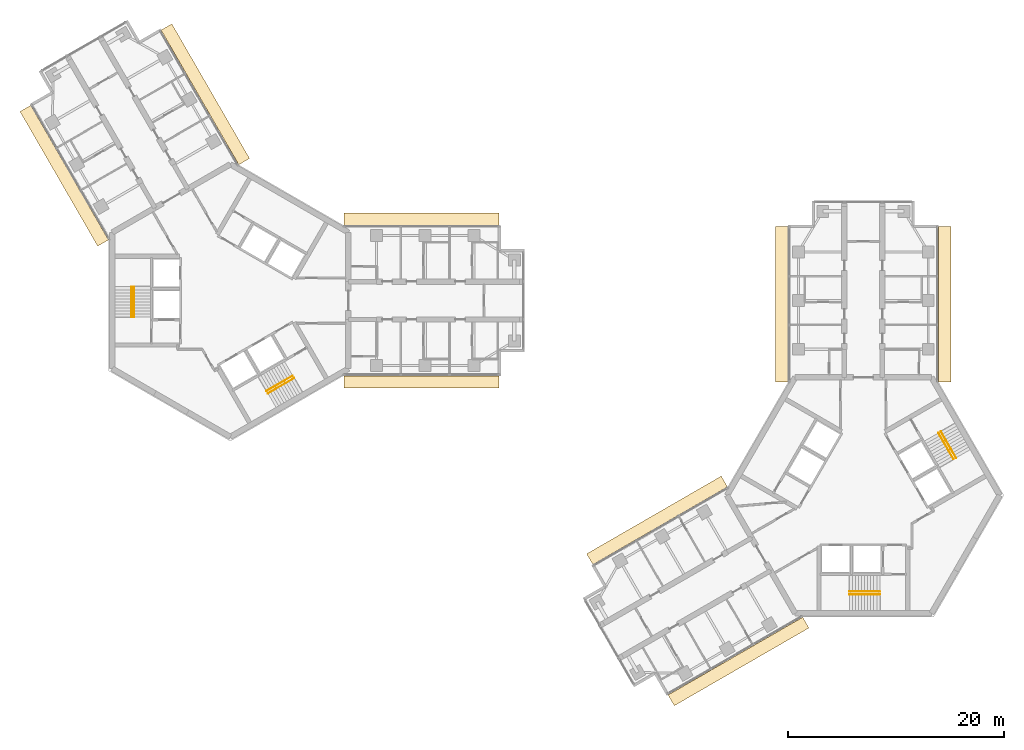
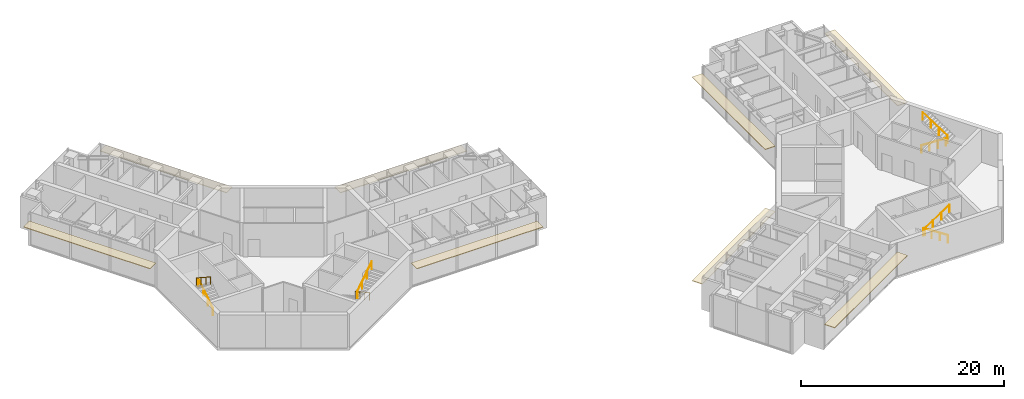
# One storey, part 17 of 17: 8 coverings, 8 railings.
"""IFC4 building model written with IfcOpenShell, lengths in metres."""

from ifc_helpers import new_model, si_unit, direction, frame, origin, origin_2d, place, context, subcontext, project, spatial, rectangle, circle, extrude, material, layer, layer_set, type_object, element, save


model = new_model("IFC4")

# Units and contexts
model_context = context("Model", 3, precision=1e-05, world=origin(), true_north=direction((0.0, 1.0)))
body_context = subcontext(model_context, "Body", "Model", "MODEL_VIEW")
ifc_project = project(units=[si_unit("LENGTHUNIT", "METRE"), si_unit("AREAUNIT", "SQUARE_METRE"), si_unit("VOLUMEUNIT", "CUBIC_METRE"), si_unit("PLANEANGLEUNIT", "RADIAN"), si_unit("MASSUNIT", "GRAM", prefix="KILO")], contexts=[model_context])

# Site, building, storey
site_placement = place(None, origin())
site = spatial("IfcSite", under=ifc_project, at=site_placement, CompositionType="ELEMENT")
building_placement = place(site_placement, origin())
building = spatial("IfcBuilding", under=site, at=building_placement, Name="Upepo Twin Towers", CompositionType="ELEMENT")
storey_placement = place(building_placement, frame((0.0, 0.0, 230.5)))
storey = spatial("IfcBuildingStorey", under=building, at=storey_placement, Name="L56", CompositionType="ELEMENT", Elevation=230.5)

# Coverings
ifc_material_1 = material(Name="Anodised aluminium, pale silver", Category="aluminium")
ifc_layer = layer(ifc_material_1, 0.080078125)
ifc_layer_set = layer_set([ifc_layer], Name="Brise-soleil blade 1150 pale aluminium")
covering_type = type_object("IfcCoveringType", Name="Brise-soleil blade 1150 pale aluminium", PredefinedType="USERDEFINED", material=ifc_layer_set)
for number, where, z_axis, x_axis, name in (
    (1, (17.66845703125, 7.527587890625, 2.909912109375), (0.0, 0.0, 1.0), (1.0, 0.0, 0.0), "T1 L56 wing A brise-soleil L"),
    (2, (17.66845703125, -7.527587890625, 2.909912109375), (0.0, 0.0, 1.0), (1.0, 0.0, 0.0), "T1 L56 wing A brise-soleil R"),
    (3, (-15.353271484375, 11.53759765625, 2.909912109375), (0.0, 0.0, 1.0), (-0.50000003023, 0.866025386331, 0.0), "T1 L56 wing B brise-soleil L"),
    (4, (-2.315185546875, 19.065185546875, 2.909912109375), (0.0, 0.0, 1.0), (-0.50000003023, 0.866025386331, 0.0), "T1 L56 wing B brise-soleil R"),
    (5, (50.972412109375, -0.33154296875, 2.909912109375), (0.0, 0.0, 1.0), (0.0, 1.0, 0.0), "T2 L56 wing A brise-soleil L"),
    (6, (66.027587890625, -0.33154296875, 2.909912109375), (0.0, 0.0, 1.0), (0.0, 1.0, 0.0), "T2 L56 wing A brise-soleil R"),
    (7, (46.96240234375, -33.353271484375, 2.909912109375), (0.0, 0.0, 1.0), (-0.866025386331, -0.50000003023, 0.0), "T2 L56 wing B brise-soleil L"),
    (8, (39.434814453125, -20.315185546875, 2.909912109375), (0.0, 0.0, 1.0), (-0.866025386331, -0.50000003023, 0.0), "T2 L56 wing B brise-soleil R"),
):
    element("IfcCovering", number, at=place(storey_placement, frame(where, z_axis=z_axis, x_axis=x_axis)), inside=storey, type_object=covering_type, Name=name, ObjectType="SUNSHADE", PredefinedType="USERDEFINED", context=body_context, shape_type="SweptSolid", body=[
        extrude(rectangle(XDim=14.36279296875, YDim=1.14990234375, at=origin_2d()), origin(), (0.0, 0.0, 1.0), 0.080078125),
    ])

# Railings
ifc_material_2 = material(Name="Stainless steel", Category="steel")
railing_type = type_object("IfcRailingType", Name="Stair handrail 900", PredefinedType="HANDRAIL", material=ifc_material_2)
railing_1_placement = place(storey_placement, frame((-8.89990234375, -1.52001953125, 0.181884765625)))
element("IfcRailing", 9, at=railing_1_placement, inside=storey, type_object=railing_type, Name="T1 stair S1 L56 handrail 1", PredefinedType="HANDRAIL", context=body_context, shape_type="SweptSolid", body=[
    extrude(circle(Radius=0.02392578125, at=origin_2d()), frame((0.0, 0.0, 0.8759765625), z_axis=(0.0, 0.838705829183, 0.544584733623), x_axis=(-1.0, 0.0, 0.0)), (0.0, 0.0, 1.0), 3.338623046875),
    extrude(circle(Radius=0.02099609375, at=origin_2d()), origin(), (0.0, 0.0, 1.0), 0.851806640625),
    extrude(circle(Radius=0.02099609375, at=origin_2d()), frame((0.0, 0.933349609375, 0.60595703125)), (0.0, 0.0, 1.0), 0.851806640625),
    extrude(circle(Radius=0.02099609375, at=origin_2d()), frame((0.0, 1.86669921875, 1.212158203125)), (0.0, 0.0, 1.0), 0.851806640625),
    extrude(circle(Radius=0.02099609375, at=origin_2d()), frame((0.0, 2.800048828125, 1.818115234375)), (0.0, 0.0, 1.0), 0.851806640625),
])
railing_2_placement = place(storey_placement, frame((-9.158447265625, 1.280029296875, 2.181884765625)))
element("IfcRailing", 10, at=railing_2_placement, inside=storey, type_object=railing_type, Name="T1 stair S1 L56 handrail 2", PredefinedType="HANDRAIL", context=body_context, shape_type="SweptSolid", body=[
    extrude(circle(Radius=0.02392578125, at=origin_2d()), frame((0.0, 0.0, 0.8759765625), z_axis=(0.0, -0.838705829183, 0.544584733623), x_axis=(1.0, 0.0, 0.0)), (0.0, 0.0, 1.0), 3.338623046875),
    extrude(circle(Radius=0.02099609375, at=origin_2d()), origin(), (0.0, 0.0, 1.0), 0.851806640625),
    extrude(circle(Radius=0.02099609375, at=origin_2d()), frame((0.0, -0.933349609375, 0.60595703125)), (0.0, 0.0, 1.0), 0.851806640625),
    extrude(circle(Radius=0.02099609375, at=origin_2d()), frame((0.0, -1.86669921875, 1.212158203125)), (0.0, 0.0, 1.0), 0.851806640625),
    extrude(circle(Radius=0.02099609375, at=origin_2d()), frame((0.0, -2.800048828125, 1.818115234375)), (0.0, 0.0, 1.0), 0.851806640625),
])
railing_3_placement = place(storey_placement, frame((5.766357421875, -6.947509765625, 0.181884765625)))
element("IfcRailing", 11, at=railing_3_placement, inside=storey, type_object=railing_type, Name="T1 stair S2 L56 handrail 1", PredefinedType="HANDRAIL", context=body_context, shape_type="SweptSolid", body=[
    extrude(circle(Radius=0.02392578125, at=origin_2d()), frame((0.0, 0.0, 0.8759765625), z_axis=(-0.726314030065, -0.419392968428, 0.544589265193), x_axis=(0.500049511043, -0.865996816683, 0.0)), (0.0, 0.0, 1.0), 3.338623046875),
    extrude(circle(Radius=0.02099609375, at=origin_2d()), origin(), (0.0, 0.0, 1.0), 0.851806640625),
    extrude(circle(Radius=0.02099609375, at=origin_2d()), frame((-0.808349609375, -0.466796875, 0.60595703125)), (0.0, 0.0, 1.0), 0.851806640625),
    extrude(circle(Radius=0.02099609375, at=origin_2d()), frame((-1.616455078125, -0.933349609375, 1.212158203125)), (0.0, 0.0, 1.0), 0.851806640625),
    extrude(circle(Radius=0.02099609375, at=origin_2d()), frame((-2.4248046875, -1.400146484375, 1.818115234375)), (0.0, 0.0, 1.0), 0.851806640625),
])
railing_4_placement = place(storey_placement, frame((3.470703125, -8.5712890625, 2.181884765625)))
element("IfcRailing", 12, at=railing_4_placement, inside=storey, type_object=railing_type, Name="T1 stair S2 L56 handrail 2", PredefinedType="HANDRAIL", context=body_context, shape_type="SweptSolid", body=[
    extrude(circle(Radius=0.02392578125, at=origin_2d()), frame((0.0, 0.0, 0.8759765625), z_axis=(0.726336304947, 0.419332699614, 0.544605966869), x_axis=(-0.49998411664, 0.866034573852, 0.0)), (0.0, 0.0, 1.0), 3.33837890625),
    extrude(circle(Radius=0.02099609375, at=origin_2d()), origin(), (0.0, 0.0, 1.0), 0.851806640625),
    extrude(circle(Radius=0.02099609375, at=origin_2d()), frame((0.808349609375, 0.466552734375, 0.60595703125)), (0.0, 0.0, 1.0), 0.851806640625),
    extrude(circle(Radius=0.02099609375, at=origin_2d()), frame((1.616455078125, 0.933349609375, 1.212158203125)), (0.0, 0.0, 1.0), 0.851806640625),
    extrude(circle(Radius=0.02099609375, at=origin_2d()), frame((2.4248046875, 1.39990234375, 1.818115234375)), (0.0, 0.0, 1.0), 0.851806640625),
])
railing_5_placement = place(storey_placement, frame((60.02001953125, -26.89990234375, 0.181884765625)))
element("IfcRailing", 13, at=railing_5_placement, inside=storey, type_object=railing_type, Name="T2 stair S1 L56 handrail 1", PredefinedType="HANDRAIL", context=body_context, shape_type="SweptSolid", body=[
    extrude(circle(Radius=0.02392578125, at=origin_2d()), frame((0.0, 0.0, 0.8759765625), z_axis=(-0.838705829183, 0.0, 0.544584733623), x_axis=(0.0, -1.0, 0.0)), (0.0, 0.0, 1.0), 3.338623046875),
    extrude(circle(Radius=0.02099609375, at=origin_2d()), origin(), (0.0, 0.0, 1.0), 0.851806640625),
    extrude(circle(Radius=0.02099609375, at=origin_2d()), frame((-0.933349609375, 0.0, 0.60595703125)), (0.0, 0.0, 1.0), 0.851806640625),
    extrude(circle(Radius=0.02099609375, at=origin_2d()), frame((-1.86669921875, 0.0, 1.212158203125)), (0.0, 0.0, 1.0), 0.851806640625),
    extrude(circle(Radius=0.02099609375, at=origin_2d()), frame((-2.800048828125, 0.0, 1.818115234375)), (0.0, 0.0, 1.0), 0.851806640625),
])
railing_6_placement = place(storey_placement, frame((57.219970703125, -27.158447265625, 2.181884765625)))
element("IfcRailing", 14, at=railing_6_placement, inside=storey, type_object=railing_type, Name="T2 stair S1 L56 handrail 2", PredefinedType="HANDRAIL", context=body_context, shape_type="SweptSolid", body=[
    extrude(circle(Radius=0.02392578125, at=origin_2d()), frame((0.0, 0.0, 0.8759765625), z_axis=(0.838705829183, 0.0, 0.544584733623), x_axis=(0.0, 1.0, 0.0)), (0.0, 0.0, 1.0), 3.338623046875),
    extrude(circle(Radius=0.02099609375, at=origin_2d()), origin(), (0.0, 0.0, 1.0), 0.851806640625),
    extrude(circle(Radius=0.02099609375, at=origin_2d()), frame((0.933349609375, 0.0, 0.60595703125)), (0.0, 0.0, 1.0), 0.851806640625),
    extrude(circle(Radius=0.02099609375, at=origin_2d()), frame((1.86669921875, 0.0, 1.212158203125)), (0.0, 0.0, 1.0), 0.851806640625),
    extrude(circle(Radius=0.02099609375, at=origin_2d()), frame((2.800048828125, 0.0, 1.818115234375)), (0.0, 0.0, 1.0), 0.851806640625),
])
railing_7_placement = place(storey_placement, frame((65.447509765625, -12.233642578125, 0.181884765625)))
element("IfcRailing", 15, at=railing_7_placement, inside=storey, type_object=railing_type, Name="T2 stair S2 L56 handrail 1", PredefinedType="HANDRAIL", context=body_context, shape_type="SweptSolid", body=[
    extrude(circle(Radius=0.02392578125, at=origin_2d()), frame((0.0, 0.0, 0.8759765625), z_axis=(0.419392968428, -0.726314030065, 0.544589265193), x_axis=(0.865996816683, 0.500049511043, 0.0)), (0.0, 0.0, 1.0), 3.338623046875),
    extrude(circle(Radius=0.02099609375, at=origin_2d()), origin(), (0.0, 0.0, 1.0), 0.851806640625),
    extrude(circle(Radius=0.02099609375, at=origin_2d()), frame((0.466796875, -0.808349609375, 0.60595703125)), (0.0, 0.0, 1.0), 0.851806640625),
    extrude(circle(Radius=0.02099609375, at=origin_2d()), frame((0.933349609375, -1.616455078125, 1.212158203125)), (0.0, 0.0, 1.0), 0.851806640625),
    extrude(circle(Radius=0.02099609375, at=origin_2d()), frame((1.400146484375, -2.4248046875, 1.818115234375)), (0.0, 0.0, 1.0), 0.851806640625),
])
railing_8_placement = place(storey_placement, frame((67.0712890625, -14.529296875, 2.181884765625)))
element("IfcRailing", 16, at=railing_8_placement, inside=storey, type_object=railing_type, Name="T2 stair S2 L56 handrail 2", PredefinedType="HANDRAIL", context=body_context, shape_type="SweptSolid", body=[
    extrude(circle(Radius=0.02392578125, at=origin_2d()), frame((0.0, 0.0, 0.8759765625), z_axis=(-0.419332699614, 0.726336304947, 0.544605966869), x_axis=(-0.866034573852, -0.49998411664, 0.0)), (0.0, 0.0, 1.0), 3.33837890625),
    extrude(circle(Radius=0.02099609375, at=origin_2d()), origin(), (0.0, 0.0, 1.0), 0.851806640625),
    extrude(circle(Radius=0.02099609375, at=origin_2d()), frame((-0.466552734375, 0.808349609375, 0.60595703125)), (0.0, 0.0, 1.0), 0.851806640625),
    extrude(circle(Radius=0.02099609375, at=origin_2d()), frame((-0.933349609375, 1.616455078125, 1.212158203125)), (0.0, 0.0, 1.0), 0.851806640625),
    extrude(circle(Radius=0.02099609375, at=origin_2d()), frame((-1.39990234375, 2.4248046875, 1.818115234375)), (0.0, 0.0, 1.0), 0.851806640625),
])

save(model, "model.ifc")
